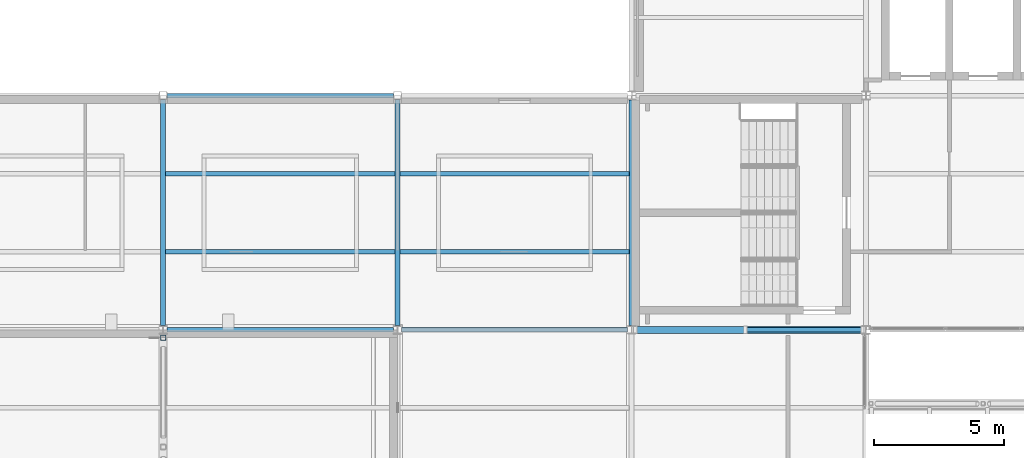
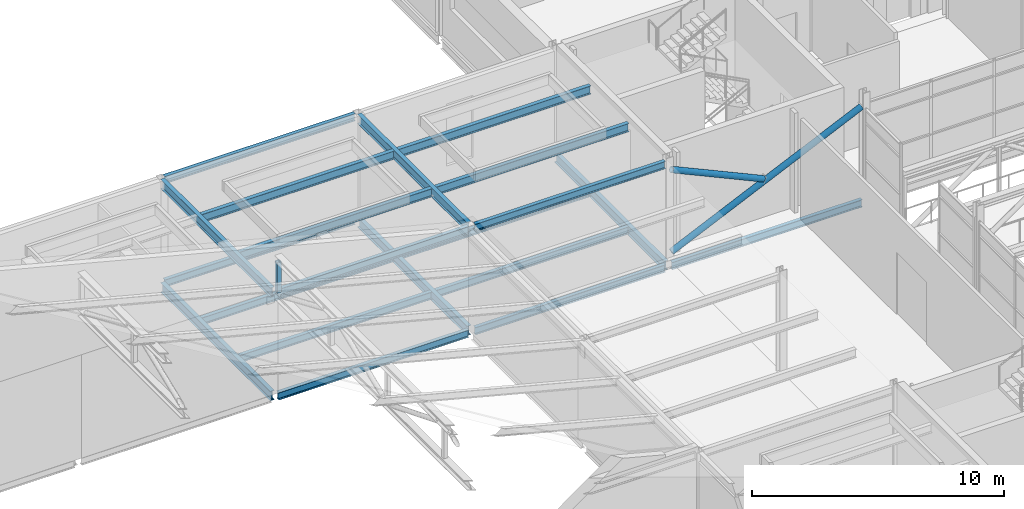
# One storey, part 48 of 115: 20 beams, 3 members.
"""IFC4 building model written with IfcOpenShell, lengths in metres."""

import ifcopenshell
import ifcopenshell.guid

model = None  # the IFC model being written
_history = None  # IfcOwnerHistory: only IFC2X3 demands one
_inside = {}  # id of a spatial element -> (the spatial element, [elements in it])
_under = {}  # id of a project, library or spatial element -> (it, [spatial elements below it])
_declared = {}  # id of a project -> (the project, [libraries it declares])
_typed = {}  # id of a type object -> (the type object, [elements of that type])
_made_of = {}  # id of a material, layer set ... -> (it, [elements and type objects made of it])


def new_model(schema):
    """Start an empty IFC model of exactly this schema.

    Asked for "IFC4X3", IfcOpenShell would pick the latest addendum, in which some entities
    have other attributes; the version numbers below select the first issue.
    IFC2X3 requires an IfcOwnerHistory on every rooted entity: one is made here for all.
    """
    global model, _history
    if schema == "IFC4X3":
        model = ifcopenshell.file(schema_version=(4, 3, 0, 0))
    else:
        model = ifcopenshell.file(schema=schema)
    _inside.clear()
    _under.clear()
    _declared.clear()
    _typed.clear()
    _made_of.clear()
    _history = None
    if model.schema == "IFC2X3":
        org = make("IfcOrganization", Name="unknown")
        user = make(
            "IfcPersonAndOrganization",
            ThePerson=make("IfcPerson", FamilyName="unknown"),
            TheOrganization=org,
        )
        app = make(
            "IfcApplication",
            ApplicationDeveloper=org,
            Version="unknown",
            ApplicationFullName="unknown",
            ApplicationIdentifier="unknown",
        )
        _history = make(
            "IfcOwnerHistory",
            OwningUser=user,
            OwningApplication=app,
            ChangeAction="ADDED",
            CreationDate=0,
        )
    return model


def make(cls, **values):
    """One entity of the class cls with the attributes given. An attribute that is None is left unset."""
    return model.create_entity(
        cls, **{name: value for name, value in values.items() if value is not None}
    )


def rooted(cls, **values):
    """An entity with a GlobalId (a new one), such as an element, a storey or a relation."""
    return make(cls, GlobalId=ifcopenshell.guid.new(), OwnerHistory=_history, **values)


def si_unit(unit_type, name, prefix=None):
    """IfcSIUnit, for example si_unit("LENGTHUNIT", "METRE", prefix="MILLI")."""
    return make("IfcSIUnit", UnitType=unit_type, Prefix=prefix, Name=name)


def assignment(units):
    """IfcUnitAssignment: the units of a project."""
    return None if units is None else make("IfcUnitAssignment", Units=units)


def point(xyz):
    """IfcCartesianPoint."""
    return None if xyz is None else make("IfcCartesianPoint", Coordinates=xyz)


def direction(xyz):
    """IfcDirection."""
    return None if xyz is None else make("IfcDirection", DirectionRatios=xyz)


def frame(location, z_axis=None, x_axis=None):
    """IfcAxis2Placement3D, a coordinate frame: its origin and axes. An axis left out is left unset."""
    return make(
        "IfcAxis2Placement3D",
        Location=point(location),
        Axis=direction(z_axis),
        RefDirection=direction(x_axis),
    )


def frame_2d(location, x_axis=None):
    """IfcAxis2Placement2D, a coordinate frame in the plane: its origin and x axis."""
    return make(
        "IfcAxis2Placement2D", Location=point(location), RefDirection=direction(x_axis)
    )


def origin():
    """The frame at (0, 0, 0) with its axes left unset."""
    return frame((0.0, 0.0, 0.0))


def origin_2d():
    """The frame at (0, 0) in the plane with its x axis left unset."""
    return frame_2d((0.0, 0.0))


def place(relative_to, where):
    """IfcLocalPlacement: puts the frame where relative to a parent placement (None: the world)."""
    return make(
        "IfcLocalPlacement", PlacementRelTo=relative_to, RelativePlacement=where
    )


def context(
    kind, dimensions, precision=None, world=None, true_north=None, identifier=None
):
    """IfcGeometricRepresentationContext, for example the 3D "Model" context."""
    return make(
        "IfcGeometricRepresentationContext",
        ContextIdentifier=identifier,
        ContextType=kind,
        CoordinateSpaceDimension=dimensions,
        Precision=precision,
        WorldCoordinateSystem=world,
        TrueNorth=true_north,
    )


def subcontext(parent, identifier, kind, view, scale=None):
    """IfcGeometricRepresentationSubContext, for example "Body" below "Model"."""
    return make(
        "IfcGeometricRepresentationSubContext",
        ContextIdentifier=identifier,
        ContextType=kind,
        ParentContext=parent,
        TargetScale=scale,
        TargetView=view,
    )


def project(units=None, contexts=None):
    """IfcProject with its units and contexts."""
    return rooted(
        "IfcProject",
        Name="project",
        RepresentationContexts=contexts,
        UnitsInContext=assignment(units),
    )


def spatial(cls, under=None, at=None, **own):
    """A site, building, storey or space (cls), placed at a placement, below another one or the project."""
    s = rooted(cls, ObjectPlacement=at, **own)
    if under is not None:
        _under.setdefault(under.id(), (under, []))[1].append(s)
    return s


def profile(cls, at=None, kind="AREA", **sizes):
    """A parametric profile (cls). Its sizes go by their IFC names, for example OverallWidth=200.0."""
    return make(cls, ProfileType=kind, Position=at, **sizes)


def hollow_rectangle(**sizes):
    """IfcRectangleHollowProfileDef."""
    return profile("IfcRectangleHollowProfileDef", **sizes)


def hollow_circle(**sizes):
    """IfcCircleHollowProfileDef."""
    return profile("IfcCircleHollowProfileDef", **sizes)


def i_section(**sizes):
    """IfcIShapeProfileDef."""
    return profile("IfcIShapeProfileDef", **sizes)


def extrude(swept, where, along, depth):
    """IfcExtrudedAreaSolid: the profile swept, set in the frame where, extruded along a direction by depth."""
    return make(
        "IfcExtrudedAreaSolid",
        SweptArea=swept,
        Position=where,
        ExtrudedDirection=direction(along),
        Depth=depth,
    )


def shape(context_of_items, identifier, shape_type, items):
    """IfcShapeRepresentation: the items that make up one representation, for example the "Body"."""
    return make(
        "IfcShapeRepresentation",
        ContextOfItems=context_of_items,
        RepresentationIdentifier=identifier,
        RepresentationType=shape_type,
        Items=items,
    )


def material(Name=None, Category=None):
    """IfcMaterial."""
    return make("IfcMaterial", Name=Name, Category=Category)


def material_profile(
    of_material, cross_section, Name=None, Category=None, Priority=None
):
    """IfcMaterialProfile: a cross section and its material."""
    return make(
        "IfcMaterialProfile",
        Name=Name,
        Material=of_material,
        Profile=cross_section,
        Priority=Priority,
        Category=Category,
    )


def profile_set(profiles, Name=None, composite=None):
    """IfcMaterialProfileSet."""
    return make(
        "IfcMaterialProfileSet",
        Name=Name,
        MaterialProfiles=profiles,
        CompositeProfile=composite,
    )


def made_of(thing, what):
    """Note that an element or type object is made of a material, layer set ...; save() writes the relation."""
    if what is not None:
        _made_of.setdefault(what.id(), (what, []))[1].append(thing)
    return thing


def type_object(cls, material=None, **own):
    """A type object (cls), such as IfcWallType, which elements share."""
    return made_of(rooted(cls, **own), material)


def element(
    cls,
    number,
    at=None,
    inside=None,
    cuts=None,
    type_object=None,
    material=None,
    context=None,
    identifier="Body",
    shape_type=None,
    held_by="IfcProductDefinitionShape",
    body=None,
    shapes=None,
    **own,
):
    """One element of the class cls, such as IfcWall. Its Tag is "e" and its number.

    at: its placement. inside: the storey or other place that contains it. cuts: it is an
    opening in that element (IfcRelVoidsElement). A single representation is given by context,
    identifier, shape_type and body (its items); several are given by shapes. held_by: the class
    of the entity that holds the representations. save() writes the other relations.
    """
    e = rooted(cls, Tag="e%d" % number, ObjectPlacement=at, **own)
    if body is not None:
        shapes = [shape(context, identifier, shape_type, body)]
    if shapes is not None:
        e.Representation = make(held_by, Representations=shapes)
    if inside is not None:
        _inside.setdefault(inside.id(), (inside, []))[1].append(e)
    if cuts is not None:
        rooted(
            "IfcRelVoidsElement", RelatingBuildingElement=cuts, RelatedOpeningElement=e
        )
    if type_object is not None:
        _typed.setdefault(type_object.id(), (type_object, []))[1].append(e)
    return made_of(e, material)


def aggregate(whole, parts):
    """IfcRelAggregates: a whole, such as a stair, and the parts it consists of."""
    return rooted("IfcRelAggregates", RelatingObject=whole, RelatedObjects=parts)


def save(model, path):
    """Write the relations noted so far, then the file.

    IfcRelAggregates (storeys below a building ...), IfcRelContainedInSpatialStructure (elements
    in a storey), IfcRelDefinesByType, IfcRelAssociatesMaterial and IfcRelDeclares: one each for
    every whole, place, type object, material and project.
    """
    for whole, parts in _under.values():
        aggregate(whole, parts)
    for where, things in _inside.values():
        rooted(
            "IfcRelContainedInSpatialStructure",
            RelatedElements=things,
            RelatingStructure=where,
        )
    for kind, things in _typed.values():
        rooted("IfcRelDefinesByType", RelatedObjects=things, RelatingType=kind)
    for what, things in _made_of.values():
        rooted("IfcRelAssociatesMaterial", RelatedObjects=things, RelatingMaterial=what)
    for by, libraries in _declared.values():
        rooted("IfcRelDeclares", RelatingContext=by, RelatedDefinitions=libraries)
    model.write(path)


model = new_model("IFC4")

# Units and contexts
model_context = context("Model", 3, precision=1e-05, world=origin(), true_north=direction((0.0, 1.0)))
body_context = subcontext(model_context, "Body", "Model", "MODEL_VIEW")
ifc_project = project(units=[si_unit("LENGTHUNIT", "METRE"), si_unit("AREAUNIT", "SQUARE_METRE"), si_unit("VOLUMEUNIT", "CUBIC_METRE"), si_unit("PLANEANGLEUNIT", "RADIAN"), si_unit("MASSUNIT", "GRAM", prefix="KILO")], contexts=[model_context])

# Site, building, storey
site_placement = place(None, origin())
site = spatial("IfcSite", under=ifc_project, at=site_placement, CompositionType="ELEMENT")
building_placement = place(site_placement, origin())
building = spatial("IfcBuilding", under=site, at=building_placement, Name="Shorebreak Coast Museum", CompositionType="ELEMENT")
storey_placement = place(building_placement, frame((0.0, 0.0, 11.0)))
storey = spatial("IfcBuildingStorey", under=building, at=storey_placement, Name="L02", CompositionType="ELEMENT", Elevation=11.0)

# Member
ifc_material_1 = material(Name="Steel Grade C450L0", Category="steel")
ifc_material_profile_1 = material_profile(ifc_material_1, hollow_rectangle(XDim=0.199951171875, YDim=0.199951171875, WallThickness=0.009033203125, InnerFilletRadius=0.013427734375, OuterFilletRadius=0.0224609375, at=origin_2d()), Name="200x200x9.0 SHS")
ifc_profile_set_1 = profile_set([ifc_material_profile_1], Name="Steel Grade C450L0")
member_type_1 = type_object("IfcMemberType", Name="Auditorium roof truss strut 200x200x9.0 SHS", PredefinedType="STRUT", material=ifc_profile_set_1)
member_1_placement = place(storey_placement, frame((36.0, 80.699951171875, 4.911376953125), z_axis=(0.0, 0.0, 1.0), x_axis=(1.0, 0.0, 0.0)))
element("IfcMember", 1, at=member_1_placement, inside=storey, type_object=member_type_1, Name="Auditorium roof truss TS2 strut V05", PredefinedType="STRUT", context=body_context, shape_type="SweptSolid", body=[
    extrude(hollow_rectangle(XDim=0.199951171875, YDim=0.199951171875, WallThickness=0.009033203125, InnerFilletRadius=0.013427734375, OuterFilletRadius=0.0224609375, at=origin_2d()), origin(), (0.0, 0.0, 1.0), 1.472900390625),
])

# Beams
ifc_material_2 = material(Name="Steel Grade 300", Category="steel")
ifc_material_profile_2 = material_profile(ifc_material_2, i_section(OverallWidth=0.1708984375, OverallDepth=0.355712890625, WebThickness=0.00732421875, FlangeThickness=0.011474609375, FilletRadius=0.011474609375, at=origin_2d()), Name="360UB50.7")
ifc_profile_set_2 = profile_set([ifc_material_profile_2], Name="Steel Grade 300")
beam_type_1 = type_object("IfcBeamType", Name="Floor girder east-west 360UB50.7", PredefinedType="BEAM", material=ifc_profile_set_2)
beam_1_placement = place(storey_placement, frame((36.155517578125, 81.0, -0.352783203125), z_axis=(1.0, 0.0, 0.0), x_axis=(0.0, 1.0, 0.0)))
element("IfcBeam", 2, at=beam_1_placement, inside=storey, type_object=beam_type_1, Name="Floor girder east-west L02 5K", PredefinedType="BEAM", context=body_context, shape_type="SweptSolid", body=[
    extrude(i_section(OverallWidth=0.1708984375, OverallDepth=0.355712890625, WebThickness=0.00732421875, FlangeThickness=0.011474609375, FilletRadius=0.011474609375, at=origin_2d()), origin(), (0.0, 0.0, 1.0), 8.68896484375),
])
beam_2_placement = place(storey_placement, frame((45.155517578125, 81.0, -0.352783203125), z_axis=(1.0, 0.0, 0.0), x_axis=(0.0, 1.0, 0.0)))
element("IfcBeam", 3, at=beam_2_placement, inside=storey, type_object=beam_type_1, Name="Floor girder east-west L02 6K", PredefinedType="BEAM", context=body_context, shape_type="SweptSolid", body=[
    extrude(i_section(OverallWidth=0.1708984375, OverallDepth=0.355712890625, WebThickness=0.00732421875, FlangeThickness=0.011474609375, FilletRadius=0.011474609375, at=origin_2d()), origin(), (0.0, 0.0, 1.0), 8.68994140625),
])
beam_3_placement = place(storey_placement, frame((36.14990234375, 90.0, -0.352783203125), z_axis=(1.0, 0.0, 0.0), x_axis=(0.0, 1.0, 0.0)))
element("IfcBeam", 4, at=beam_3_placement, inside=storey, type_object=beam_type_1, Name="Floor girder east-west L02 5L", PredefinedType="BEAM", context=body_context, shape_type="SweptSolid", body=[
    extrude(i_section(OverallWidth=0.1708984375, OverallDepth=0.355712890625, WebThickness=0.00732421875, FlangeThickness=0.011474609375, FilletRadius=0.011474609375, at=origin_2d()), origin(), (0.0, 0.0, 1.0), 8.7001953125),
])
ifc_material_3 = material(Name="Steel Grade 300", Category="steel")
ifc_material_profile_3 = material_profile(ifc_material_3, i_section(OverallWidth=0.172119140625, OverallDepth=0.358642578125, WebThickness=0.008056640625, FlangeThickness=0.012939453125, FilletRadius=0.011474609375, at=origin_2d()), Name="360UB56.7")
ifc_profile_set_3 = profile_set([ifc_material_profile_3], Name="Steel Grade 300")
beam_type_2 = type_object("IfcBeamType", Name="Floor girder east-west 360UB56.7", PredefinedType="BEAM", material=ifc_profile_set_3)
beam_4_placement = place(storey_placement, frame((54.154541015625, 81.0, -0.354248046875), z_axis=(1.0, 0.0, 0.0), x_axis=(0.0, 1.0, 0.0)))
element("IfcBeam", 5, at=beam_4_placement, inside=storey, type_object=beam_type_2, Name="Floor girder east-west L02 7K", PredefinedType="BEAM", context=body_context, shape_type="SweptSolid", body=[
    extrude(i_section(OverallWidth=0.172119140625, OverallDepth=0.358642578125, WebThickness=0.008056640625, FlangeThickness=0.012939453125, FilletRadius=0.011474609375, at=origin_2d()), origin(), (0.0, 0.0, 1.0), 8.68994140625),
])
ifc_material_4 = material(Name="Steel Grade 300", Category="steel")
ifc_material_profile_4 = material_profile(ifc_material_4, i_section(OverallWidth=0.19091796875, OverallDepth=0.46044921875, WebThickness=0.010009765625, FlangeThickness=0.01611328125, FilletRadius=0.011474609375, at=origin_2d()), Name="460UB82.1")
ifc_profile_set_4 = profile_set([ifc_material_profile_4], Name="Steel Grade 300")
beam_type_3 = type_object("IfcBeamType", Name="Floor girder north-south 460UB82.1", PredefinedType="BEAM", material=ifc_profile_set_4)
for number, where, z_axis, x_axis, name in (
    (6, (36.0, 81.16357421875, -0.4052734375), (0.0, 1.0, 0.0), (-1.0, 0.0, 0.0), "Floor girder north-south L02 5K"),
    (7, (45.0, 81.16357421875, -0.4052734375), (0.0, 1.0, 0.0), (-1.0, 0.0, 0.0), "Floor girder north-south L02 6K"),
):
    element("IfcBeam", number, at=place(storey_placement, frame(where, z_axis=z_axis, x_axis=x_axis)), inside=storey, type_object=beam_type_3, Name=name, PredefinedType="BEAM", context=body_context, shape_type="SweptSolid", body=[
        extrude(i_section(OverallWidth=0.19091796875, OverallDepth=0.46044921875, WebThickness=0.010009765625, FlangeThickness=0.01611328125, FilletRadius=0.011474609375, at=origin_2d()), origin(), (0.0, 0.0, 1.0), 8.6865234375),
    ])
beam_5_placement = place(storey_placement, frame((54.0, 81.160400390625, -0.4052734375), z_axis=(0.0, 1.0, 0.0), x_axis=(-1.0, 0.0, 0.0)))
element("IfcBeam", 8, at=beam_5_placement, inside=storey, type_object=beam_type_3, Name="Floor girder north-south L02 7K", PredefinedType="BEAM", context=body_context, shape_type="SweptSolid", body=[
    extrude(i_section(OverallWidth=0.19091796875, OverallDepth=0.46044921875, WebThickness=0.010009765625, FlangeThickness=0.01611328125, FilletRadius=0.011474609375, at=origin_2d()), origin(), (0.0, 0.0, 1.0), 8.676025390625),
])
ifc_material_5 = material(Name="Steel Grade 300", Category="steel")
ifc_material_profile_5 = material_profile(ifc_material_5, i_section(OverallWidth=0.1708984375, OverallDepth=0.355712890625, WebThickness=0.00732421875, FlangeThickness=0.011474609375, FilletRadius=0.011474609375, at=origin_2d()), Name="360UB50.7")
ifc_profile_set_5 = profile_set([ifc_material_profile_5], Name="Steel Grade 300")
beam_type_4 = type_object("IfcBeamType", Name="Floor joist 360UB50.7", PredefinedType="JOIST", material=ifc_profile_set_5)
for number, where, z_axis, x_axis, name in (
    (9, (36.095458984375, 84.0, -0.352783203125), (1.0, 0.0, 0.0), (0.0, 1.0, 0.0), "Floor joist L02 bay 5K at 3000 mm"),
    (10, (36.095458984375, 87.0, -0.352783203125), (1.0, 0.0, 0.0), (0.0, 1.0, 0.0), "Floor joist L02 bay 5K at 6000 mm"),
    (11, (45.095458984375, 84.0, -0.352783203125), (1.0, 0.0, 0.0), (0.0, 1.0, 0.0), "Floor joist L02 bay 6K at 3000 mm"),
    (12, (45.095458984375, 87.0, -0.352783203125), (1.0, 0.0, 0.0), (0.0, 1.0, 0.0), "Floor joist L02 bay 6K at 6000 mm"),
):
    element("IfcBeam", number, at=place(storey_placement, frame(where, z_axis=z_axis, x_axis=x_axis)), inside=storey, type_object=beam_type_4, Name=name, PredefinedType="JOIST", context=body_context, shape_type="SweptSolid", body=[
        extrude(i_section(OverallWidth=0.1708984375, OverallDepth=0.355712890625, WebThickness=0.00732421875, FlangeThickness=0.011474609375, FilletRadius=0.011474609375, at=origin_2d()), origin(), (0.0, 0.0, 1.0), 8.80908203125),
    ])
ifc_material_6 = material(Name="Steel Grade 300", Category="steel")
ifc_material_profile_6 = material_profile(ifc_material_6, i_section(OverallWidth=0.1708984375, OverallDepth=0.355712890625, WebThickness=0.00732421875, FlangeThickness=0.011474609375, FilletRadius=0.011474609375, at=origin_2d()), Name="360UB50.7")
ifc_profile_set_6 = profile_set([ifc_material_profile_6], Name="Steel Grade 300")
beam_type_5 = type_object("IfcBeamType", Name="Roof deck girder east-west 360UB50.7", PredefinedType="BEAM", material=ifc_profile_set_6)
beam_6_placement = place(storey_placement, frame((36.155517578125, 81.0, 4.647216796875), z_axis=(1.0, 0.0, 0.0), x_axis=(0.0, 1.0, 0.0)))
element("IfcBeam", 13, at=beam_6_placement, inside=storey, type_object=beam_type_5, Name="Roof deck girder east-west L03 5K", PredefinedType="BEAM", context=body_context, shape_type="SweptSolid", body=[
    extrude(i_section(OverallWidth=0.1708984375, OverallDepth=0.355712890625, WebThickness=0.00732421875, FlangeThickness=0.011474609375, FilletRadius=0.011474609375, at=origin_2d()), origin(), (0.0, 0.0, 1.0), 8.68896484375),
])
beam_7_placement = place(storey_placement, frame((45.155517578125, 81.0, 4.647216796875), z_axis=(1.0, 0.0, 0.0), x_axis=(0.0, 1.0, 0.0)))
element("IfcBeam", 14, at=beam_7_placement, inside=storey, type_object=beam_type_5, Name="Roof deck girder east-west L03 6K", PredefinedType="BEAM", context=body_context, shape_type="SweptSolid", body=[
    extrude(i_section(OverallWidth=0.1708984375, OverallDepth=0.355712890625, WebThickness=0.00732421875, FlangeThickness=0.011474609375, FilletRadius=0.011474609375, at=origin_2d()), origin(), (0.0, 0.0, 1.0), 8.69091796875),
])
beam_8_placement = place(storey_placement, frame((36.14990234375, 90.0, 4.647216796875), z_axis=(1.0, 0.0, 0.0), x_axis=(0.0, 1.0, 0.0)))
element("IfcBeam", 15, at=beam_8_placement, inside=storey, type_object=beam_type_5, Name="Roof deck girder east-west L03 5L", PredefinedType="BEAM", context=body_context, shape_type="SweptSolid", body=[
    extrude(i_section(OverallWidth=0.1708984375, OverallDepth=0.355712890625, WebThickness=0.00732421875, FlangeThickness=0.011474609375, FilletRadius=0.011474609375, at=origin_2d()), origin(), (0.0, 0.0, 1.0), 8.7001953125),
])
ifc_material_7 = material(Name="Steel Grade 300", Category="steel")
ifc_material_profile_7 = material_profile(ifc_material_7, i_section(OverallWidth=0.18994140625, OverallDepth=0.453857421875, WebThickness=0.008544921875, FlangeThickness=0.0126953125, FilletRadius=0.011474609375, at=origin_2d()), Name="460UB67.1")
ifc_profile_set_7 = profile_set([ifc_material_profile_7], Name="Steel Grade 300")
beam_type_6 = type_object("IfcBeamType", Name="Roof deck girder north-south 460UB67.1", PredefinedType="BEAM", material=ifc_profile_set_7)
for number, where, z_axis, x_axis, name in (
    (16, (36.0, 81.16357421875, 4.59814453125), (0.0, 1.0, 0.0), (-1.0, 0.0, 0.0), "Roof deck girder north-south L03 5K"),
    (17, (45.0, 81.16357421875, 4.59814453125), (0.0, 1.0, 0.0), (-1.0, 0.0, 0.0), "Roof deck girder north-south L03 6K"),
):
    element("IfcBeam", number, at=place(storey_placement, frame(where, z_axis=z_axis, x_axis=x_axis)), inside=storey, type_object=beam_type_6, Name=name, PredefinedType="BEAM", context=body_context, shape_type="SweptSolid", body=[
        extrude(i_section(OverallWidth=0.18994140625, OverallDepth=0.453857421875, WebThickness=0.008544921875, FlangeThickness=0.0126953125, FilletRadius=0.011474609375, at=origin_2d()), origin(), (0.0, 0.0, 1.0), 8.6865234375),
    ])
ifc_material_8 = material(Name="Steel Grade 300", Category="steel")
ifc_material_profile_8 = material_profile(ifc_material_8, i_section(OverallWidth=0.177978515625, OverallDepth=0.402587890625, WebThickness=0.007568359375, FlangeThickness=0.010986328125, FilletRadius=0.011474609375, at=origin_2d()), Name="410UB53.7")
ifc_profile_set_8 = profile_set([ifc_material_profile_8], Name="Steel Grade 300")
beam_type_7 = type_object("IfcBeamType", Name="Roof deck joist 410UB53.7", PredefinedType="JOIST", material=ifc_profile_set_8)
for number, where, z_axis, x_axis, name in (
    (18, (36.094970703125, 84.0, 4.623779296875), (1.0, 0.0, 0.0), (0.0, 1.0, 0.0), "Roof deck joist L03 bay 5K at 3000 mm"),
    (19, (36.094970703125, 87.0, 4.623779296875), (1.0, 0.0, 0.0), (0.0, 1.0, 0.0), "Roof deck joist L03 bay 5K at 6000 mm"),
    (20, (45.094970703125, 84.0, 4.623779296875), (1.0, 0.0, 0.0), (0.0, 1.0, 0.0), "Roof deck joist L03 bay 6K at 3000 mm"),
    (21, (45.094970703125, 87.0, 4.623779296875), (1.0, 0.0, 0.0), (0.0, 1.0, 0.0), "Roof deck joist L03 bay 6K at 6000 mm"),
):
    element("IfcBeam", number, at=place(storey_placement, frame(where, z_axis=z_axis, x_axis=x_axis)), inside=storey, type_object=beam_type_7, Name=name, PredefinedType="JOIST", context=body_context, shape_type="SweptSolid", body=[
        extrude(i_section(OverallWidth=0.177978515625, OverallDepth=0.402587890625, WebThickness=0.007568359375, FlangeThickness=0.010986328125, FilletRadius=0.011474609375, at=origin_2d()), origin(), (0.0, 0.0, 1.0), 8.81005859375),
    ])

# Members
ifc_material_9 = material(Name="Steel Grade C350L0", Category="steel")
ifc_material_profile_9 = material_profile(ifc_material_9, hollow_circle(Radius=0.136474609375, WallThickness=0.00927734375, at=origin_2d()), Name="273.1x9.3 CHS")
ifc_profile_set_9 = profile_set([ifc_material_profile_9], Name="Steel Grade C350L0")
member_type_2 = type_object("IfcMemberType", Name="X-brace 273.1x9.3 CHS", PredefinedType="BRACE", material=ifc_profile_set_9)
member_2_placement = place(storey_placement, frame((54.153564453125, 81.0, 0.300048828125), z_axis=(0.90940077175, 0.0, 0.415920949628), x_axis=(0.0, 1.0, 0.0)))
element("IfcMember", 22, at=member_2_placement, inside=storey, type_object=member_type_2, Name="X-brace bay 03 L02 diagonal 1", PredefinedType="BRACE", context=body_context, shape_type="SweptSolid", body=[
    extrude(hollow_circle(Radius=0.136474609375, WallThickness=0.00927734375, at=origin_2d()), origin(), (0.0, 0.0, 1.0), 9.556640625),
])
member_3_placement = place(storey_placement, frame((58.35888671875, 81.0, 2.3515625), z_axis=(-0.909400312319, 0.0, 0.415921954162), x_axis=(0.0, -1.0, 0.0)))
element("IfcMember", 23, at=member_3_placement, inside=storey, type_object=member_type_2, Name="X-brace bay 03 L02 diagonal 2", PredefinedType="BRACE", context=body_context, shape_type="SweptSolid", body=[
    extrude(hollow_circle(Radius=0.136474609375, WallThickness=0.00927734375, at=origin_2d()), origin(), (0.0, 0.0, 1.0), 4.624267578125),
])

save(model, "model.ifc")
